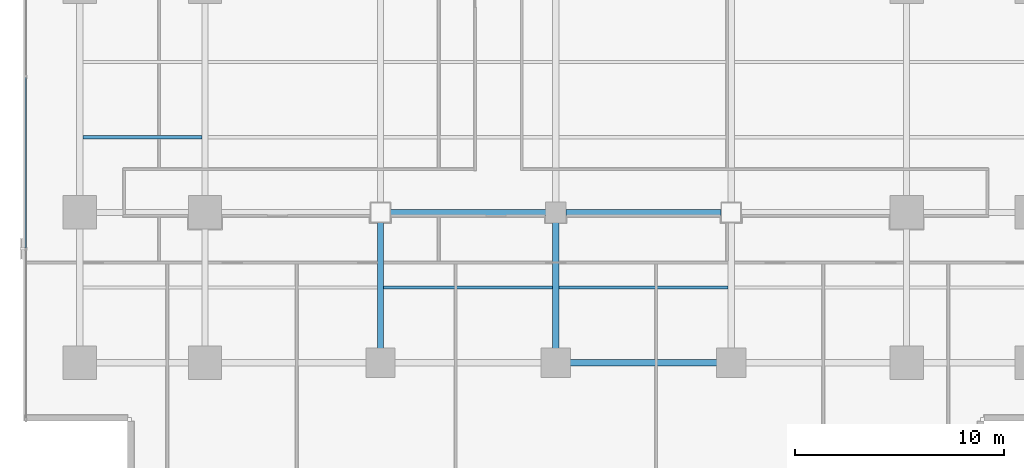
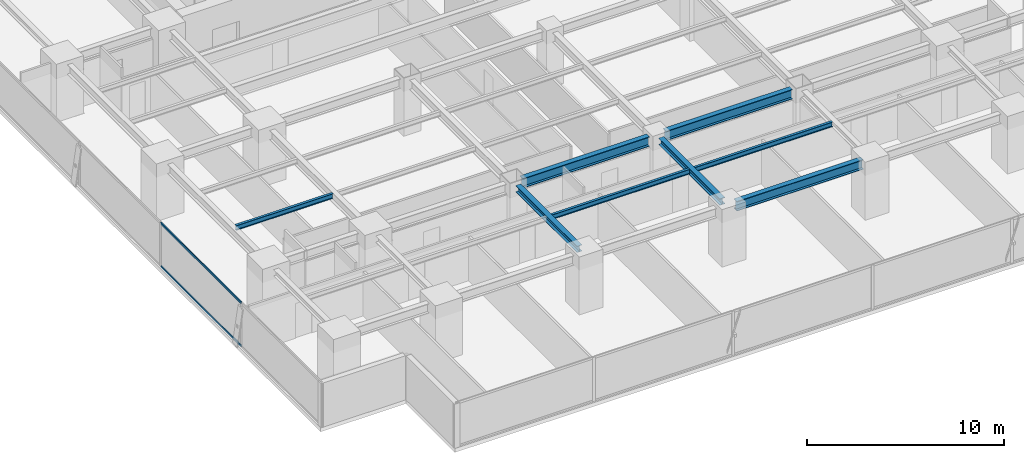
# One storey, part 7 of 37: 8 beams, 2 members, 1 element without a shape of its own.
"""IFC4 building model written with IfcOpenShell, lengths in metres."""

from ifc_helpers import new_model, si_unit, direction, frame, origin, origin_2d, place, context, subcontext, project, spatial, hollow_rectangle, i_section, extrude, source, transform, mapped, material, layer, layer_set, material_profile, profile_set, type_object, element, aggregate, save


model = new_model("IFC4")

# Units and contexts
model_context = context("Model", 3, precision=1e-05, world=origin(), true_north=direction((0.0, 1.0)))
body_context = subcontext(model_context, "Body", "Model", "MODEL_VIEW")
ifc_project = project(units=[si_unit("LENGTHUNIT", "METRE"), si_unit("AREAUNIT", "SQUARE_METRE"), si_unit("VOLUMEUNIT", "CUBIC_METRE"), si_unit("PLANEANGLEUNIT", "RADIAN"), si_unit("MASSUNIT", "GRAM", prefix="KILO")], contexts=[model_context])

# Site, building, storey
site_placement = place(None, origin())
site = spatial("IfcSite", under=ifc_project, at=site_placement, CompositionType="ELEMENT")
building_placement = place(site_placement, origin())
building = spatial("IfcBuilding", under=site, at=building_placement, Name="Sumidabori Civic Tower", CompositionType="ELEMENT")
storey_placement = place(building_placement, frame((0.0, 0.0, 81.199951171875)))
storey = spatial("IfcBuildingStorey", under=building, at=storey_placement, Name="L20", CompositionType="ELEMENT", Elevation=81.199951171875)

# Beams
ifc_material_1 = material(Name="Steel SN490", Category="steel")
ifc_material_profile_1 = material_profile(ifc_material_1, i_section(OverallWidth=0.300048828125, OverallDepth=0.60009765625, WebThickness=0.015380859375, FlangeThickness=0.030029296875, at=origin_2d()), Name="HE 600 B")
ifc_profile_set_1 = profile_set([ifc_material_profile_1], Name="Steel SN490")
beam_type_1 = type_object("IfcBeamType", Name="BM-GIRD-600", PredefinedType="BEAM", material=ifc_profile_set_1)
shared_shape_1 = source(origin(), body_context, "Body", "SweptSolid", [
    extrude(i_section(OverallWidth=0.300048828125, OverallDepth=0.60009765625, WebThickness=0.015380859375, FlangeThickness=0.030029296875, at=origin_2d()), origin(), (0.0, 0.0, 1.0), 7.43994140625),
])
for number, where, z_axis, x_axis, name in (
    (1, (0.47998046875, -18.0, 3.06005859375), (1.0, 0.0, 0.0), (0.0, 1.0, 0.0), "Primary Girder L20 GX-04"),
    (2, (-7.919921875, -10.800048828125, 3.06005859375), (1.0, 0.0, 0.0), (0.0, 1.0, 0.0), "Primary Girder L20 GX-09"),
    (3, (0.47998046875, -10.800048828125, 3.06005859375), (1.0, 0.0, 0.0), (0.0, 1.0, 0.0), "Primary Girder L20 GX-10"),
):
    element("IfcBeam", number, at=place(storey_placement, frame(where, z_axis=z_axis, x_axis=x_axis)), inside=storey, type_object=beam_type_1, Name=name, PredefinedType="BEAM", context=body_context, shape_type="MappedRepresentation", body=[
        mapped(shared_shape_1, transform((0.0, 0.0, 0.0), x_axis=(1.0, 0.0, 0.0), y_axis=(0.0, 1.0, 0.0), z_axis=(0.0, 0.0, 1.0), scale=1.0)),
    ])
ifc_material_profile_2 = material_profile(ifc_material_1, i_section(OverallWidth=0.300048828125, OverallDepth=0.39990234375, WebThickness=0.013427734375, FlangeThickness=0.02392578125, at=origin_2d()), Name="HE 400 B")
ifc_profile_set_2 = profile_set([ifc_material_profile_2], Name="Steel SN490")
beam_type_2 = type_object("IfcBeamType", Name="BM-GIRD-400", PredefinedType="BEAM", material=ifc_profile_set_2)
shared_shape_2 = source(origin(), body_context, "Body", "SweptSolid", [
    extrude(i_section(OverallWidth=0.300048828125, OverallDepth=0.39990234375, WebThickness=0.013427734375, FlangeThickness=0.02392578125, at=origin_2d()), origin(), (0.0, 0.0, 1.0), 6.239990234375),
])
for number, where, z_axis, x_axis, name in (
    (4, (-8.39990234375, -17.52001953125, 3.16015625), (0.0, 1.0, 0.0), (-1.0, 0.0, 0.0), "Primary Girder L20 GY-29"),
    (5, (0.0, -17.52001953125, 3.16015625), (0.0, 1.0, 0.0), (-1.0, 0.0, 0.0), "Primary Girder L20 GY-31"),
):
    element("IfcBeam", number, at=place(storey_placement, frame(where, z_axis=z_axis, x_axis=x_axis)), inside=storey, type_object=beam_type_2, Name=name, PredefinedType="BEAM", context=body_context, shape_type="MappedRepresentation", body=[
        mapped(shared_shape_2, transform((0.0, 0.0, 0.0), x_axis=(1.0, 0.0, 0.0), y_axis=(0.0, 1.0, 0.0), z_axis=(0.0, 0.0, 1.0), scale=1.0)),
    ])
ifc_material_profile_3 = material_profile(ifc_material_1, i_section(OverallWidth=0.14990234375, OverallDepth=0.300048828125, WebThickness=0.007080078125, FlangeThickness=0.0107421875, at=origin_2d()), Name="IPE 300")
ifc_profile_set_3 = profile_set([ifc_material_profile_3], Name="Steel SN490")
beam_type_3 = type_object("IfcBeamType", Name="BM-JST-300", PredefinedType="JOIST", material=ifc_profile_set_3)
shared_shape_3 = source(origin(), body_context, "Body", "SweptSolid", [
    extrude(i_section(OverallWidth=0.14990234375, OverallDepth=0.300048828125, WebThickness=0.007080078125, FlangeThickness=0.0107421875, at=origin_2d()), origin(), (0.0, 0.0, 1.0), 5.699951171875),
])
beam_placement = place(storey_placement, frame((-22.64990234375, -7.199951171875, 3.2099609375), z_axis=(1.0, 0.0, 0.0), x_axis=(0.0, 1.0, 0.0)))
element("IfcBeam", 6, at=beam_placement, inside=storey, type_object=beam_type_3, Name="Outer Bay Floor Joist L20 JSTO-43", PredefinedType="JOIST", context=body_context, shape_type="MappedRepresentation", body=[
    mapped(shared_shape_3, transform((0.0, 0.0, 0.0), x_axis=(1.0, 0.0, 0.0), y_axis=(0.0, 1.0, 0.0), z_axis=(0.0, 0.0, 1.0), scale=1.0)),
])
shared_shape_4 = source(origin(), body_context, "Body", "SweptSolid", [
    extrude(i_section(OverallWidth=0.14990234375, OverallDepth=0.300048828125, WebThickness=0.007080078125, FlangeThickness=0.0107421875, at=origin_2d()), origin(), (0.0, 0.0, 1.0), 8.10009765625),
])
for number, where, z_axis, x_axis, name in (
    (7, (-8.25, -14.39990234375, 3.2099609375), (1.0, 0.0, 0.0), (0.0, 1.0, 0.0), "South Bay Floor Joist L20 JSTS-56"),
    (8, (0.14990234375, -14.39990234375, 3.2099609375), (1.0, 0.0, 0.0), (0.0, 1.0, 0.0), "South Bay Floor Joist L20 JSTS-57"),
):
    element("IfcBeam", number, at=place(storey_placement, frame(where, z_axis=z_axis, x_axis=x_axis)), inside=storey, type_object=beam_type_3, Name=name, PredefinedType="JOIST", context=body_context, shape_type="MappedRepresentation", body=[
        mapped(shared_shape_4, transform((0.0, 0.0, 0.0), x_axis=(1.0, 0.0, 0.0), y_axis=(0.0, 1.0, 0.0), z_axis=(0.0, 0.0, 1.0), scale=1.0)),
    ])

# Curtain wall, members
ifc_material_2 = material(Name="Anodised Bronze Aluminium AW-6063-T6", Category="aluminium")
ifc_layer = layer(ifc_material_2, 0.179931640625, Name="Anodised Bronze Aluminium AW-6063-T6")
ifc_layer_set = layer_set([ifc_layer], Name="Anodised Bronze Aluminium AW-6063-T6")
curtain_wall_type = type_object("IfcCurtainWallType", Name="CW-SYS-3", PredefinedType="NOTDEFINED", material=ifc_layer_set)
curtain_wall_placement = place(storey_placement, origin())
curtain_wall = element("IfcCurtainWall", 9, at=curtain_wall_placement, inside=storey, type_object=curtain_wall_type, Name="Curtain Wall CW:L20:R10", PredefinedType="NOTDEFINED")
ifc_material_profile_4 = material_profile(ifc_material_2, hollow_rectangle(XDim=0.06005859375, YDim=0.1298828125, WallThickness=0.0048828125, at=origin_2d()), Name="ALU TRANSOM 130x60")
ifc_profile_set_4 = profile_set([ifc_material_profile_4], Name="Anodised Bronze Aluminium AW-6063-T6")
member_type = type_object("IfcMemberType", Name="CW-TRN-130", PredefinedType="USERDEFINED", material=ifc_profile_set_4)
shared_shape_5 = source(origin(), body_context, "Body", "SweptSolid", [
    extrude(hollow_rectangle(XDim=0.06005859375, YDim=0.1298828125, WallThickness=0.0048828125, at=origin_2d()), origin(), (0.0, 0.0, 1.0), 8.1630859375),
])
member_1_placement = place(storey_placement, frame((-25.3798828125, -4.346435546875, 0.030029296875), z_axis=(0.0, -1.0, 0.0), x_axis=(1.0, 0.0, 0.0)))
member_1 = element("IfcMember", 10, at=member_1_placement, type_object=member_type, Name="CW-3 transom 4.1", ObjectType="TRANSOM", PredefinedType="USERDEFINED", context=body_context, shape_type="MappedRepresentation", body=[
    mapped(shared_shape_5, transform((0.0, 0.0, 0.0), x_axis=(1.0, 0.0, 0.0), y_axis=(0.0, 1.0, 0.0), z_axis=(0.0, 0.0, 1.0), scale=1.0)),
])
member_2_placement = place(storey_placement, frame((-25.3798828125, -4.346435546875, 2.7099609375), z_axis=(0.0, -1.0, 0.0), x_axis=(1.0, 0.0, 0.0)))
member_2 = element("IfcMember", 11, at=member_2_placement, type_object=member_type, Name="CW-3 transom 4.2", ObjectType="TRANSOM", PredefinedType="USERDEFINED", context=body_context, shape_type="MappedRepresentation", body=[
    mapped(shared_shape_5, transform((0.0, 0.0, 0.0), x_axis=(1.0, 0.0, 0.0), y_axis=(0.0, 1.0, 0.0), z_axis=(0.0, 0.0, 1.0), scale=1.0)),
])
aggregate(curtain_wall, [member_1, member_2])

save(model, "model.ifc")
